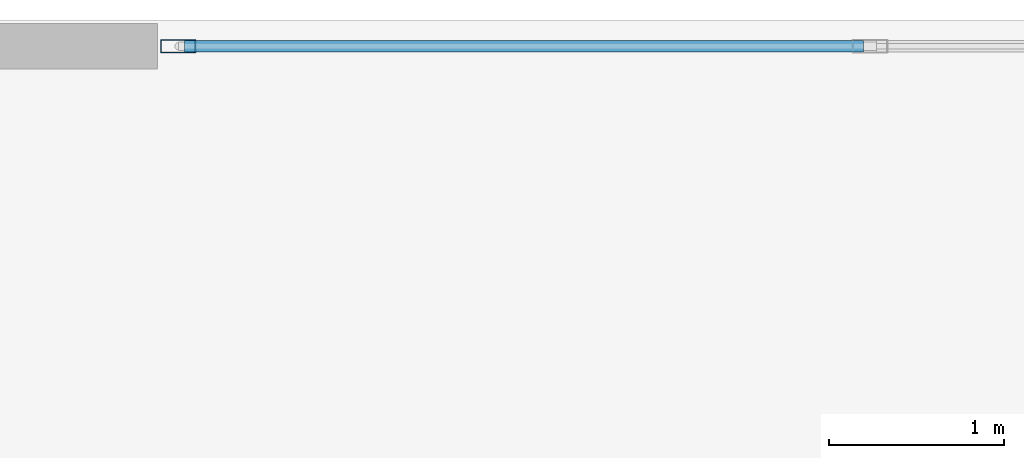
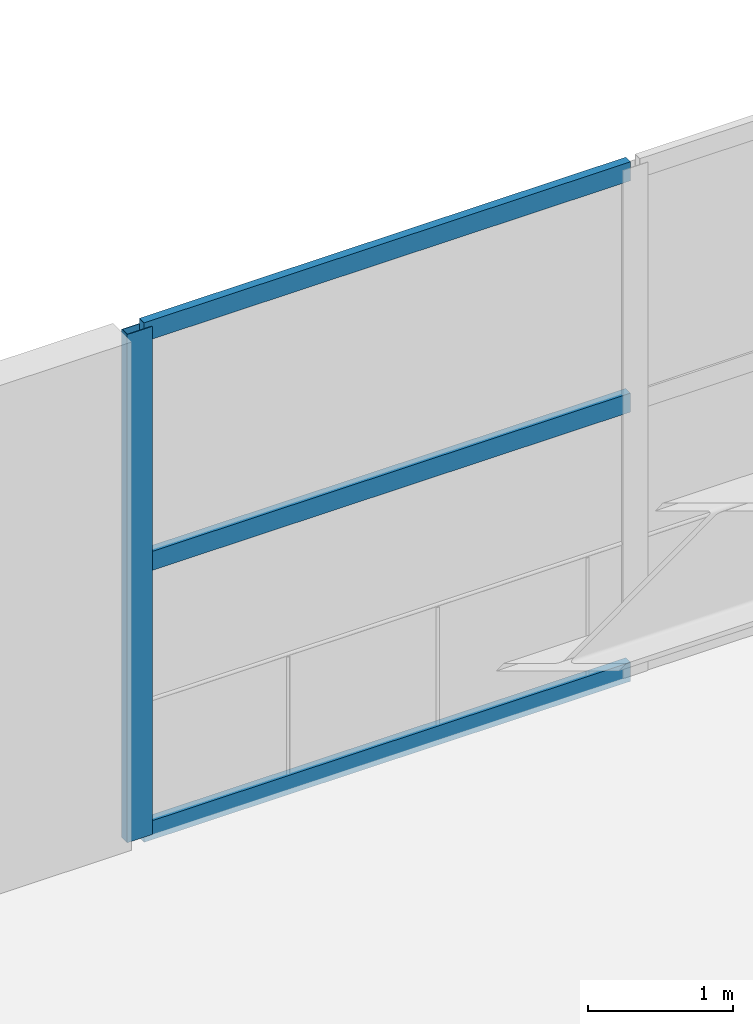
# One storey, part 6 of 20: 4 members, 1 element without a shape of its own.
"""IFC4 building model written with IfcOpenShell, lengths in metres."""

import ifcopenshell
import ifcopenshell.guid

model = None  # the IFC model being written
_history = None  # IfcOwnerHistory: only IFC2X3 demands one
_inside = {}  # id of a spatial element -> (the spatial element, [elements in it])
_under = {}  # id of a project, library or spatial element -> (it, [spatial elements below it])
_declared = {}  # id of a project -> (the project, [libraries it declares])
_typed = {}  # id of a type object -> (the type object, [elements of that type])
_made_of = {}  # id of a material, layer set ... -> (it, [elements and type objects made of it])


def new_model(schema):
    """Start an empty IFC model of exactly this schema.

    Asked for "IFC4X3", IfcOpenShell would pick the latest addendum, in which some entities
    have other attributes; the version numbers below select the first issue.
    IFC2X3 requires an IfcOwnerHistory on every rooted entity: one is made here for all.
    """
    global model, _history
    if schema == "IFC4X3":
        model = ifcopenshell.file(schema_version=(4, 3, 0, 0))
    else:
        model = ifcopenshell.file(schema=schema)
    _inside.clear()
    _under.clear()
    _declared.clear()
    _typed.clear()
    _made_of.clear()
    _history = None
    if model.schema == "IFC2X3":
        org = make("IfcOrganization", Name="unknown")
        user = make(
            "IfcPersonAndOrganization",
            ThePerson=make("IfcPerson", FamilyName="unknown"),
            TheOrganization=org,
        )
        app = make(
            "IfcApplication",
            ApplicationDeveloper=org,
            Version="unknown",
            ApplicationFullName="unknown",
            ApplicationIdentifier="unknown",
        )
        _history = make(
            "IfcOwnerHistory",
            OwningUser=user,
            OwningApplication=app,
            ChangeAction="ADDED",
            CreationDate=0,
        )
    return model


def make(cls, **values):
    """One entity of the class cls with the attributes given. An attribute that is None is left unset."""
    return model.create_entity(
        cls, **{name: value for name, value in values.items() if value is not None}
    )


def rooted(cls, **values):
    """An entity with a GlobalId (a new one), such as an element, a storey or a relation."""
    return make(cls, GlobalId=ifcopenshell.guid.new(), OwnerHistory=_history, **values)


def si_unit(unit_type, name, prefix=None):
    """IfcSIUnit, for example si_unit("LENGTHUNIT", "METRE", prefix="MILLI")."""
    return make("IfcSIUnit", UnitType=unit_type, Prefix=prefix, Name=name)


def assignment(units):
    """IfcUnitAssignment: the units of a project."""
    return None if units is None else make("IfcUnitAssignment", Units=units)


def point(xyz):
    """IfcCartesianPoint."""
    return None if xyz is None else make("IfcCartesianPoint", Coordinates=xyz)


def direction(xyz):
    """IfcDirection."""
    return None if xyz is None else make("IfcDirection", DirectionRatios=xyz)


def frame(location, z_axis=None, x_axis=None):
    """IfcAxis2Placement3D, a coordinate frame: its origin and axes. An axis left out is left unset."""
    return make(
        "IfcAxis2Placement3D",
        Location=point(location),
        Axis=direction(z_axis),
        RefDirection=direction(x_axis),
    )


def frame_2d(location, x_axis=None):
    """IfcAxis2Placement2D, a coordinate frame in the plane: its origin and x axis."""
    return make(
        "IfcAxis2Placement2D", Location=point(location), RefDirection=direction(x_axis)
    )


def origin():
    """The frame at (0, 0, 0) with its axes left unset."""
    return frame((0.0, 0.0, 0.0))


def origin_2d():
    """The frame at (0, 0) in the plane with its x axis left unset."""
    return frame_2d((0.0, 0.0))


def place(relative_to, where):
    """IfcLocalPlacement: puts the frame where relative to a parent placement (None: the world)."""
    return make(
        "IfcLocalPlacement", PlacementRelTo=relative_to, RelativePlacement=where
    )


def context(
    kind, dimensions, precision=None, world=None, true_north=None, identifier=None
):
    """IfcGeometricRepresentationContext, for example the 3D "Model" context."""
    return make(
        "IfcGeometricRepresentationContext",
        ContextIdentifier=identifier,
        ContextType=kind,
        CoordinateSpaceDimension=dimensions,
        Precision=precision,
        WorldCoordinateSystem=world,
        TrueNorth=true_north,
    )


def subcontext(parent, identifier, kind, view, scale=None):
    """IfcGeometricRepresentationSubContext, for example "Body" below "Model"."""
    return make(
        "IfcGeometricRepresentationSubContext",
        ContextIdentifier=identifier,
        ContextType=kind,
        ParentContext=parent,
        TargetScale=scale,
        TargetView=view,
    )


def project(units=None, contexts=None):
    """IfcProject with its units and contexts."""
    return rooted(
        "IfcProject",
        Name="project",
        RepresentationContexts=contexts,
        UnitsInContext=assignment(units),
    )


def spatial(cls, under=None, at=None, **own):
    """A site, building, storey or space (cls), placed at a placement, below another one or the project."""
    s = rooted(cls, ObjectPlacement=at, **own)
    if under is not None:
        _under.setdefault(under.id(), (under, []))[1].append(s)
    return s


def profile(cls, at=None, kind="AREA", **sizes):
    """A parametric profile (cls). Its sizes go by their IFC names, for example OverallWidth=200.0."""
    return make(cls, ProfileType=kind, Position=at, **sizes)


def hollow_rectangle(**sizes):
    """IfcRectangleHollowProfileDef."""
    return profile("IfcRectangleHollowProfileDef", **sizes)


def extrude(swept, where, along, depth):
    """IfcExtrudedAreaSolid: the profile swept, set in the frame where, extruded along a direction by depth."""
    return make(
        "IfcExtrudedAreaSolid",
        SweptArea=swept,
        Position=where,
        ExtrudedDirection=direction(along),
        Depth=depth,
    )


def shape(context_of_items, identifier, shape_type, items):
    """IfcShapeRepresentation: the items that make up one representation, for example the "Body"."""
    return make(
        "IfcShapeRepresentation",
        ContextOfItems=context_of_items,
        RepresentationIdentifier=identifier,
        RepresentationType=shape_type,
        Items=items,
    )


def material(Name=None, Category=None):
    """IfcMaterial."""
    return make("IfcMaterial", Name=Name, Category=Category)


def layer(
    of_material, thickness, ventilated=None, Name=None, Category=None, Priority=None
):
    """IfcMaterialLayer: one layer of a wall or slab, of a material (None: an air gap)."""
    return make(
        "IfcMaterialLayer",
        Material=of_material,
        LayerThickness=thickness,
        IsVentilated=ventilated,
        Name=Name,
        Category=Category,
        Priority=Priority,
    )


def layer_set(layers, Name=None):
    """IfcMaterialLayerSet."""
    return make("IfcMaterialLayerSet", MaterialLayers=layers, LayerSetName=Name)


def material_profile(
    of_material, cross_section, Name=None, Category=None, Priority=None
):
    """IfcMaterialProfile: a cross section and its material."""
    return make(
        "IfcMaterialProfile",
        Name=Name,
        Material=of_material,
        Profile=cross_section,
        Priority=Priority,
        Category=Category,
    )


def profile_set(profiles, Name=None, composite=None):
    """IfcMaterialProfileSet."""
    return make(
        "IfcMaterialProfileSet",
        Name=Name,
        MaterialProfiles=profiles,
        CompositeProfile=composite,
    )


def made_of(thing, what):
    """Note that an element or type object is made of a material, layer set ...; save() writes the relation."""
    if what is not None:
        _made_of.setdefault(what.id(), (what, []))[1].append(thing)
    return thing


def type_object(cls, material=None, **own):
    """A type object (cls), such as IfcWallType, which elements share."""
    return made_of(rooted(cls, **own), material)


def element(
    cls,
    number,
    at=None,
    inside=None,
    cuts=None,
    type_object=None,
    material=None,
    context=None,
    identifier="Body",
    shape_type=None,
    held_by="IfcProductDefinitionShape",
    body=None,
    shapes=None,
    **own,
):
    """One element of the class cls, such as IfcWall. Its Tag is "e" and its number.

    at: its placement. inside: the storey or other place that contains it. cuts: it is an
    opening in that element (IfcRelVoidsElement). A single representation is given by context,
    identifier, shape_type and body (its items); several are given by shapes. held_by: the class
    of the entity that holds the representations. save() writes the other relations.
    """
    e = rooted(cls, Tag="e%d" % number, ObjectPlacement=at, **own)
    if body is not None:
        shapes = [shape(context, identifier, shape_type, body)]
    if shapes is not None:
        e.Representation = make(held_by, Representations=shapes)
    if inside is not None:
        _inside.setdefault(inside.id(), (inside, []))[1].append(e)
    if cuts is not None:
        rooted(
            "IfcRelVoidsElement", RelatingBuildingElement=cuts, RelatedOpeningElement=e
        )
    if type_object is not None:
        _typed.setdefault(type_object.id(), (type_object, []))[1].append(e)
    return made_of(e, material)


def aggregate(whole, parts):
    """IfcRelAggregates: a whole, such as a stair, and the parts it consists of."""
    return rooted("IfcRelAggregates", RelatingObject=whole, RelatedObjects=parts)


def save(model, path):
    """Write the relations noted so far, then the file.

    IfcRelAggregates (storeys below a building ...), IfcRelContainedInSpatialStructure (elements
    in a storey), IfcRelDefinesByType, IfcRelAssociatesMaterial and IfcRelDeclares: one each for
    every whole, place, type object, material and project.
    """
    for whole, parts in _under.values():
        aggregate(whole, parts)
    for where, things in _inside.values():
        rooted(
            "IfcRelContainedInSpatialStructure",
            RelatedElements=things,
            RelatingStructure=where,
        )
    for kind, things in _typed.values():
        rooted("IfcRelDefinesByType", RelatedObjects=things, RelatingType=kind)
    for what, things in _made_of.values():
        rooted("IfcRelAssociatesMaterial", RelatedObjects=things, RelatingMaterial=what)
    for by, libraries in _declared.values():
        rooted("IfcRelDeclares", RelatingContext=by, RelatedDefinitions=libraries)
    model.write(path)


model = new_model("IFC4")

# Units and contexts
model_context = context("Model", 3, precision=1e-05, world=origin(), true_north=direction((0.0, 1.0)))
body_context = subcontext(model_context, "Body", "Model", "MODEL_VIEW")
ifc_project = project(units=[si_unit("LENGTHUNIT", "METRE"), si_unit("AREAUNIT", "SQUARE_METRE"), si_unit("VOLUMEUNIT", "CUBIC_METRE"), si_unit("PLANEANGLEUNIT", "RADIAN"), si_unit("MASSUNIT", "GRAM", prefix="KILO")], contexts=[model_context])

# Site, building, storey
site_placement = place(None, origin())
site = spatial("IfcSite", under=ifc_project, at=site_placement, CompositionType="ELEMENT")
building_placement = place(site_placement, origin())
building = spatial("IfcBuilding", under=site, at=building_placement, Name="Solvane Sanctuary Tower", CompositionType="ELEMENT")
storey_placement = place(building_placement, frame((0.0, 0.0, 9.199951171875)))
storey = spatial("IfcBuildingStorey", under=building, at=storey_placement, Name="L03", CompositionType="ELEMENT", Elevation=9.199951171875)

# Curtain wall, members
ifc_material = material(Name="Anodised Aluminium 6063-T6", Category="aluminium")
ifc_layer = layer(ifc_material, 0.159912109375, Name="Anodised Aluminium 6063-T6")
ifc_layer_set = layer_set([ifc_layer], Name="Anodised Aluminium 6063-T6")
curtain_wall_type = type_object("IfcCurtainWallType", Name="Curtain Wall CW-POD", PredefinedType="NOTDEFINED", material=ifc_layer_set)
curtain_wall_placement = place(storey_placement, origin())
curtain_wall = element("IfcCurtainWall", 1, at=curtain_wall_placement, inside=storey, type_object=curtain_wall_type, Name="L03 Sanctuary Curtain Wall N2", PredefinedType="NOTDEFINED")
ifc_material_profile_1 = material_profile(ifc_material, hollow_rectangle(XDim=0.074951171875, YDim=0.199951171875, WallThickness=0.00390625, at=origin_2d()), Name="ALU200X75X4")
ifc_profile_set_1 = profile_set([ifc_material_profile_1], Name="Anodised Aluminium 6063-T6")
member_type_1 = type_object("IfcMemberType", Name="Member M-CW-MUL-1 ALU200X75X4", PredefinedType="MULLION", material=ifc_profile_set_1)
member_1_placement = place(storey_placement, frame((20.117431640625, 45.85009765625, 0.0), z_axis=(0.0, 0.0, 1.0), x_axis=(0.0, -1.0, 0.0)))
member_1 = element("IfcMember", 2, at=member_1_placement, type_object=member_type_1, Name="CW-POD mullion 7", PredefinedType="MULLION", context=body_context, shape_type="SweptSolid", body=[
    extrude(hollow_rectangle(XDim=0.074951171875, YDim=0.199951171875, WallThickness=0.00390625, at=origin_2d()), origin(), (0.0, 0.0, 1.0), 4.280029296875),
])
ifc_material_profile_2 = material_profile(ifc_material, hollow_rectangle(XDim=0.06494140625, YDim=0.159912109375, WallThickness=0.00341796875, at=origin_2d()), Name="ALU160X65X3.5")
ifc_profile_set_2 = profile_set([ifc_material_profile_2], Name="Anodised Aluminium 6063-T6")
member_type_2 = type_object("IfcMemberType", Name="Member M-CW-TRN-1 ALU160X65X3.5", PredefinedType="USERDEFINED", material=ifc_profile_set_2)
member_2_placement = place(storey_placement, frame((24.029052734375, 45.85009765625, 0.032470703125), z_axis=(-1.0, 0.0, 0.0), x_axis=(0.0, -1.0, 0.0)))
member_2 = element("IfcMember", 3, at=member_2_placement, type_object=member_type_2, Name="CW-POD transom 6.1", ObjectType="TRANSOM", PredefinedType="USERDEFINED", context=body_context, shape_type="SweptSolid", body=[
    extrude(hollow_rectangle(XDim=0.06494140625, YDim=0.159912109375, WallThickness=0.00341796875, at=origin_2d()), origin(), (0.0, 0.0, 1.0), 3.8740234375),
])
member_3_placement = place(storey_placement, frame((24.029052734375, 45.85009765625, 2.300048828125), z_axis=(-1.0, 0.0, 0.0), x_axis=(0.0, -1.0, 0.0)))
member_3 = element("IfcMember", 4, at=member_3_placement, type_object=member_type_2, Name="CW-POD transom 6.2", ObjectType="TRANSOM", PredefinedType="USERDEFINED", context=body_context, shape_type="SweptSolid", body=[
    extrude(hollow_rectangle(XDim=0.06494140625, YDim=0.159912109375, WallThickness=0.00341796875, at=origin_2d()), origin(), (0.0, 0.0, 1.0), 3.8740234375),
])
member_4_placement = place(storey_placement, frame((24.029052734375, 45.85009765625, 4.24755859375), z_axis=(-1.0, 0.0, 0.0), x_axis=(0.0, -1.0, 0.0)))
member_4 = element("IfcMember", 5, at=member_4_placement, type_object=member_type_2, Name="CW-POD transom 6.3", ObjectType="TRANSOM", PredefinedType="USERDEFINED", context=body_context, shape_type="SweptSolid", body=[
    extrude(hollow_rectangle(XDim=0.06494140625, YDim=0.159912109375, WallThickness=0.00341796875, at=origin_2d()), origin(), (0.0, 0.0, 1.0), 3.8740234375),
])
aggregate(curtain_wall, [member_1, member_2, member_3, member_4])

save(model, "model.ifc")
